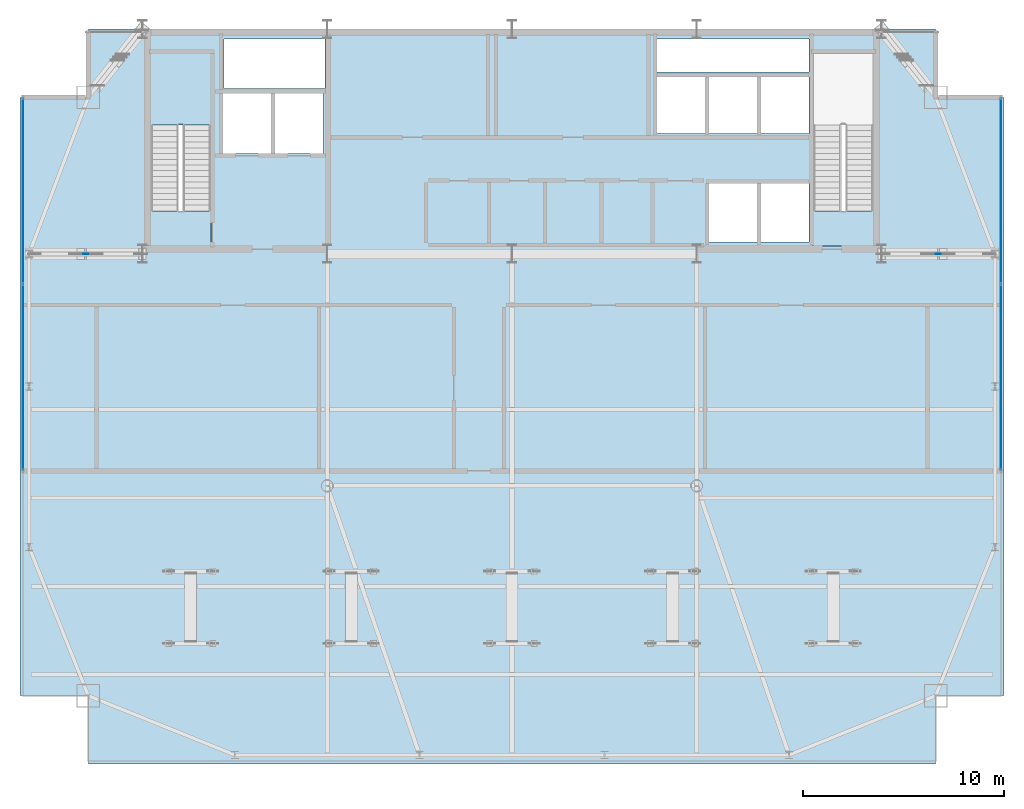
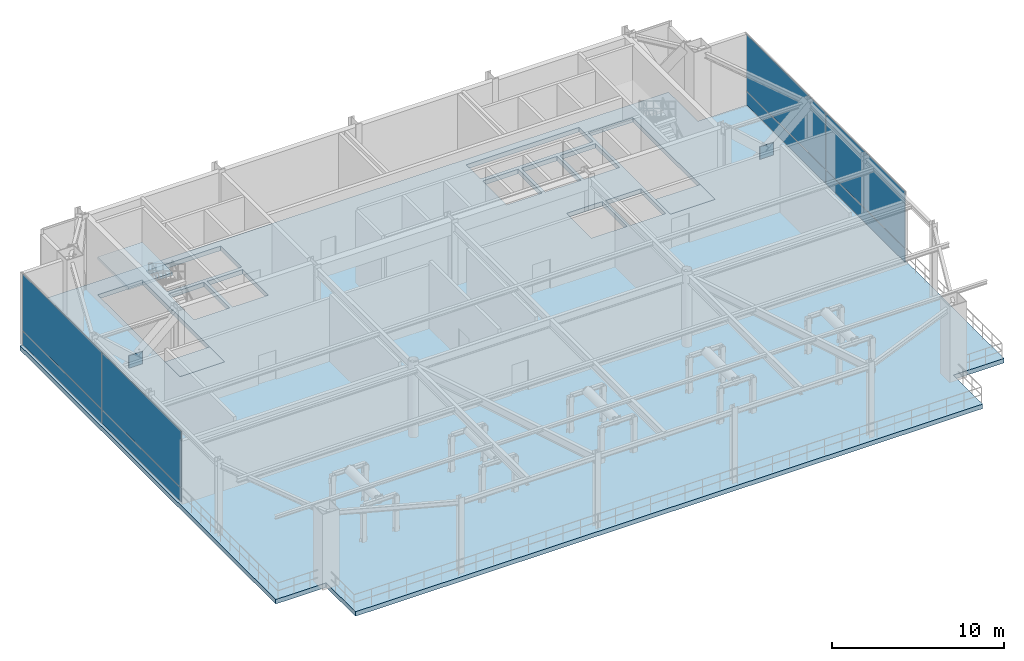
# One storey, part 15 of 21: 10 plates, 4 slabs, 3 elements without a shape of their own.
"""IFC4 building model written with IfcOpenShell, lengths in metres."""

from ifc_helpers import new_model, si_unit, direction, frame, origin, origin_2d, place, context, subcontext, project, spatial, polyline, rectangle, outline, extrude, source, transform, mapped, material, layer, layer_set, type_object, type_shapes, element, aggregate, save


model = new_model("IFC4")

# Units and contexts
model_context = context("Model", 3, precision=1e-05, world=origin(), true_north=direction((0.0, 1.0)))
body_context = subcontext(model_context, "Body", "Model", "MODEL_VIEW")
ifc_project = project(units=[si_unit("LENGTHUNIT", "METRE"), si_unit("AREAUNIT", "SQUARE_METRE"), si_unit("VOLUMEUNIT", "CUBIC_METRE"), si_unit("PLANEANGLEUNIT", "RADIAN"), si_unit("MASSUNIT", "GRAM", prefix="KILO")], contexts=[model_context])

# Site, building, storey
site_placement = place(None, origin())
site = spatial("IfcSite", under=ifc_project, at=site_placement, CompositionType="ELEMENT")
building_placement = place(site_placement, origin())
building = spatial("IfcBuilding", under=site, at=building_placement, Name="Varnel Quay Broadcast Tower", CompositionType="ELEMENT")
storey_placement = place(building_placement, frame((0.0, 0.0, 234.0)))
storey = spatial("IfcBuildingStorey", under=building, at=storey_placement, Name="L58", CompositionType="ELEMENT", Elevation=234.0)

# Slabs
ifc_material_1 = material(Name="Concrete CSA A23.3 C50/60", Category="concrete")
ifc_layer_1 = layer(ifc_material_1, 0.320068359375, Name="Concrete CSA A23.3 C50/60")
ifc_layer_set_1 = layer_set([ifc_layer_1], Name="Concrete CSA A23.3 C50/60")
slab_type_1 = type_object("IfcSlabType", Name="Slab_Floor320", PredefinedType="FLOOR", material=ifc_layer_set_1)
slab_1_placement = place(storey_placement, frame((0.0, 0.0, -0.320068359375)))
element("IfcSlab", 1, at=slab_1_placement, inside=storey, type_object=slab_type_1, Name="L58 Structural Slab", PredefinedType="FLOOR", context=body_context, shape_type="SweptSolid", body=[
    extrude(outline(polyline([(12.89990234375, 10.199951171875), (55.10009765625, 10.199951171875), (55.10009765625, 13.60009765625), (58.5, 13.60009765625), (58.5, 43.39990234375), (55.10009765625, 43.39990234375), (55.10009765625, 46.800048828125), (12.89990234375, 46.800048828125), (12.89990234375, 43.39990234375), (9.5, 43.39990234375), (9.5, 13.60009765625), (12.89990234375, 13.60009765625), (12.89990234375, 10.199951171875)]), holes=[polyline([(19.0, 36.0), (16.0, 36.0), (16.0, 45.60009765625), (19.0, 45.60009765625), (19.0, 36.0)]), polyline([(19.60009765625, 40.60009765625), (19.60009765625, 43.60009765625), (22.0, 43.60009765625), (22.0, 40.60009765625), (19.60009765625, 40.60009765625)]), polyline([(22.199951171875, 40.60009765625), (22.199951171875, 43.60009765625), (24.60009765625, 43.60009765625), (24.60009765625, 40.60009765625), (22.199951171875, 40.60009765625)]), polyline([(41.199951171875, 44.39990234375), (43.60009765625, 44.39990234375), (43.60009765625, 41.60009765625), (41.199951171875, 41.60009765625), (41.199951171875, 44.39990234375)]), polyline([(43.800048828125, 44.39990234375), (46.199951171875, 44.39990234375), (46.199951171875, 41.60009765625), (43.800048828125, 41.60009765625), (43.800048828125, 44.39990234375)]), polyline([(19.64990234375, 43.85009765625), (19.64990234375, 46.300048828125), (24.679931640625, 46.300048828125), (24.679931640625, 43.85009765625), (19.64990234375, 43.85009765625)]), polyline([(43.800048828125, 39.10009765625), (46.199951171875, 39.10009765625), (46.199951171875, 36.199951171875), (43.800048828125, 36.199951171875), (43.800048828125, 39.10009765625)]), polyline([(46.39990234375, 39.10009765625), (48.800048828125, 39.10009765625), (48.800048828125, 36.199951171875), (46.39990234375, 36.199951171875), (46.39990234375, 39.10009765625)]), polyline([(52.0, 36.0), (49.0, 36.0), (49.0, 45.60009765625), (52.0, 45.60009765625), (52.0, 36.0)]), polyline([(46.39990234375, 44.39990234375), (48.800048828125, 44.39990234375), (48.800048828125, 41.60009765625), (46.39990234375, 41.60009765625), (46.39990234375, 44.39990234375)]), polyline([(41.199951171875, 46.300048828125), (48.800048828125, 46.300048828125), (48.800048828125, 44.64990234375), (41.199951171875, 44.64990234375), (41.199951171875, 46.300048828125)])]), origin(), (0.0, 0.0, 1.0), 0.320068359375),
])
ifc_layer_2 = layer(ifc_material_1, 0.25, Name="Concrete CSA A23.3 C50/60")
ifc_layer_set_2 = layer_set([ifc_layer_2], Name="Concrete CSA A23.3 C50/60")
slab_type_2 = type_object("IfcSlabType", Name="Slab_StairFloorLanding250", PredefinedType="FLOOR", material=ifc_layer_set_2)
slab_2_placement = place(storey_placement, frame((0.0, 0.0, -0.320068359375)))
element("IfcSlab", 2, at=slab_2_placement, inside=storey, type_object=slab_type_2, Name="L58 ST-01 Structural Floor Landing Slab", PredefinedType="FLOOR", context=body_context, shape_type="SweptSolid", body=[
    extrude(outline(polyline([(19.0, 36.0), (19.0, 37.75), (16.0, 37.75), (16.0, 36.0), (19.0, 36.0)])), origin(), (0.0, 0.0, 1.0), 0.320068359375),
])
slab_3_placement = place(storey_placement, frame((0.0, 0.0, -0.320068359375)))
element("IfcSlab", 3, at=slab_3_placement, inside=storey, type_object=slab_type_2, Name="L58 ST-02 Structural Floor Landing Slab", PredefinedType="FLOOR", context=body_context, shape_type="SweptSolid", body=[
    extrude(outline(polyline([(52.0, 36.0), (52.0, 37.75), (49.0, 37.75), (49.0, 36.0), (52.0, 36.0)])), origin(), (0.0, 0.0, 1.0), 0.320068359375),
])

# Stair, slab
ifc_material_2 = material(Name="Precast Structural Concrete C40/50", Category="concrete")
stair_type = type_object("IfcStairType", Name="Stair_ST-01", PredefinedType="HALF_TURN_STAIR", material=ifc_material_2)
stair_placement = place(storey_placement, origin())
stair = element("IfcStair", 4, at=stair_placement, inside=storey, type_object=stair_type, Name="L58 West Core Exit Stair 1", PredefinedType="HALF_TURN_STAIR")
ifc_layer_3 = layer(ifc_material_2, 0.199951171875, Name="Precast Structural Concrete C40/50")
ifc_layer_set_3 = layer_set([ifc_layer_3], Name="Precast Structural Concrete C40/50")
slab_type_3 = type_object("IfcSlabType", Name="Slab_StairLanding200", PredefinedType="LANDING", material=ifc_layer_set_3)
slab_4_placement = place(storey_placement, frame((0.0, 0.0, 2.5)))
slab_4 = element("IfcSlab", 5, at=slab_4_placement, type_object=slab_type_3, Name="ST-01 landing 1", PredefinedType="LANDING", context=body_context, shape_type="SweptSolid", body=[
    extrude(outline(polyline([(19.0, 42.02490234375), (19.0, 45.60009765625), (16.0, 45.60009765625), (16.0, 42.02490234375), (19.0, 42.02490234375)])), origin(), (0.0, 0.0, 1.0), 0.199951171875),
])
aggregate(stair, [slab_4])

# Plates
ifc_material_3 = material(Name="Structural Steel CSA G40.21 350WT", Category="steel")
ifc_layer_4 = layer(ifc_material_3, 0.0400390625, Name="Structural Steel CSA G40.21 350WT")
ifc_layer_set_4 = layer_set([ifc_layer_4], Name="Structural Steel CSA G40.21 350WT")
plate_type_1 = type_object("IfcPlateType", Name="Plate_MegaGusset", PredefinedType="USERDEFINED", material=ifc_layer_set_4)
shared_shape_1 = source(origin(), body_context, "Body", "SweptSolid", [
    extrude(rectangle(XDim=0.924072265625, YDim=0.0400390625, at=origin_2d()), origin(), (0.0, 0.0, 1.0), 0.8779296875),
])
type_shapes(plate_type_1, [shared_shape_1])
for number, where, z_axis, x_axis, name in (
    (6, (12.77490234375, 35.60009765625, 2.135986328125), (0.0, 0.0, 1.0), (1.0, 0.0, 0.0), "L58 Outrigger W Central X-Crossing Gusset Plate"),
    (7, (55.22509765625, 35.60009765625, 2.135986328125), (0.0, 0.0, 1.0), (1.0, 0.0, 0.0), "L58 Outrigger E Central X-Crossing Gusset Plate"),
):
    element("IfcPlate", number, at=place(storey_placement, frame(where, z_axis=z_axis, x_axis=x_axis)), inside=storey, type_object=plate_type_1, Name=name, ObjectType="GUSSET_PLATE", PredefinedType="USERDEFINED", context=body_context, shape_type="MappedRepresentation", body=[
        mapped(shared_shape_1, transform((0.0, 0.0, 0.0), x_axis=(1.0, 0.0, 0.0), y_axis=(0.0, 1.0, 0.0), z_axis=(0.0, 0.0, 1.0), scale=1.0)),
    ])

# Curtain wall, plate
ifc_material_4 = material(Name="Anodised Bronze Aluminium 6063-T6", Category="aluminium")
ifc_layer_5 = layer(ifc_material_4, 0.18994140625, Name="Anodised Bronze Aluminium 6063-T6")
ifc_layer_set_5 = layer_set([ifc_layer_5], Name="Anodised Bronze Aluminium 6063-T6")
curtain_wall_type = type_object("IfcCurtainWallType", Name="CW_UpperTower", PredefinedType="NOTDEFINED", material=ifc_layer_set_5)
curtain_wall_1_placement = place(storey_placement, origin())
curtain_wall_1 = element("IfcCurtainWall", 8, at=curtain_wall_1_placement, inside=storey, type_object=curtain_wall_type, Name="L58 West Plant Curtain Wall", PredefinedType="NOTDEFINED")
ifc_material_5 = material(Name="Triple-Glazed Bronze Low-E Architectural Glass", Category="glass")
ifc_layer_6 = layer(ifc_material_5, 0.030029296875, Name="Triple-Glazed Bronze Low-E Architectural Glass")
ifc_layer_set_6 = layer_set([ifc_layer_6], Name="Triple-Glazed Bronze Low-E Architectural Glass")
plate_type_2 = type_object("IfcPlateType", Name="Panel_CWS-03", PredefinedType="CURTAIN_PANEL", material=ifc_layer_set_6)
shared_shape_2 = source(origin(), body_context, "Body", "SweptSolid", [
    extrude(rectangle(XDim=9.202392578125, YDim=0.030029296875, at=origin_2d()), origin(), (0.0, 0.0, 1.0), 0.9599609375),
])
plate_1_placement = place(storey_placement, frame((9.64990234375, 29.46630859375, 0.06005859375), z_axis=(0.0, 0.0, 1.0), x_axis=(0.0, 1.0, 0.0)))
plate_1 = element("IfcPlate", 9, at=plate_1_placement, type_object=plate_type_2, Name="CWS-03 panel 1.1", PredefinedType="CURTAIN_PANEL", context=body_context, shape_type="MappedRepresentation", body=[
    mapped(shared_shape_2, transform((0.0, 0.0, 0.0), x_axis=(1.0, 0.0, 0.0), y_axis=(0.0, 1.0, 0.0), z_axis=(0.0, 0.0, 1.0), scale=1.0)),
])

curtain_wall_2_placement = place(storey_placement, origin())
curtain_wall_2 = element("IfcCurtainWall", 10, at=curtain_wall_2_placement, inside=storey, type_object=curtain_wall_type, Name="L58 East Plant Curtain Wall", PredefinedType="NOTDEFINED")
plate_2_placement = place(storey_placement, frame((58.35009765625, 29.46630859375, 0.06005859375), z_axis=(0.0, 0.0, 1.0), x_axis=(0.0, 1.0, 0.0)))
plate_2 = element("IfcPlate", 11, at=plate_2_placement, type_object=plate_type_2, Name="CWS-03 panel 1.1", PredefinedType="CURTAIN_PANEL", context=body_context, shape_type="MappedRepresentation", body=[
    mapped(shared_shape_2, transform((0.0, 0.0, 0.0), x_axis=(1.0, 0.0, 0.0), y_axis=(0.0, 1.0, 0.0), z_axis=(0.0, 0.0, 1.0), scale=1.0)),
])

# Plate
shared_shape_3 = source(origin(), body_context, "Body", "SweptSolid", [
    extrude(rectangle(XDim=9.202392578125, YDim=0.030029296875, at=origin_2d()), origin(), (0.0, 0.0, 1.0), 4.010009765625),
])
type_shapes(plate_type_2, [shared_shape_2, shared_shape_3])
plate_3_placement = place(storey_placement, frame((9.64990234375, 29.46630859375, 1.080078125), z_axis=(0.0, 0.0, 1.0), x_axis=(0.0, 1.0, 0.0)))
plate_3 = element("IfcPlate", 12, at=plate_3_placement, type_object=plate_type_2, Name="CWS-03 panel 1.2", PredefinedType="CURTAIN_PANEL", context=body_context, shape_type="MappedRepresentation", body=[
    mapped(shared_shape_3, transform((0.0, 0.0, 0.0), x_axis=(1.0, 0.0, 0.0), y_axis=(0.0, 1.0, 0.0), z_axis=(0.0, 0.0, 1.0), scale=1.0)),
])

plate_4_placement = place(storey_placement, frame((58.35009765625, 29.46630859375, 1.080078125), z_axis=(0.0, 0.0, 1.0), x_axis=(0.0, 1.0, 0.0)))
plate_4 = element("IfcPlate", 13, at=plate_4_placement, type_object=plate_type_2, Name="CWS-03 panel 1.2", PredefinedType="CURTAIN_PANEL", context=body_context, shape_type="MappedRepresentation", body=[
    mapped(shared_shape_3, transform((0.0, 0.0, 0.0), x_axis=(1.0, 0.0, 0.0), y_axis=(0.0, 1.0, 0.0), z_axis=(0.0, 0.0, 1.0), scale=1.0)),
])

ifc_material_6 = material(Name="Insulated Bronze Spandrel Glass", Category="glass")
ifc_layer_7 = layer(ifc_material_6, 0.030029296875, Name="Insulated Bronze Spandrel Glass")
ifc_layer_set_7 = layer_set([ifc_layer_7], Name="Insulated Bronze Spandrel Glass")
plate_type_3 = type_object("IfcPlateType", Name="PanelSp_CWS-03", PredefinedType="CURTAIN_PANEL", material=ifc_layer_set_7)
shared_shape_4 = source(origin(), body_context, "Body", "SweptSolid", [
    extrude(rectangle(XDim=9.202392578125, YDim=0.030029296875, at=origin_2d()), origin(), (0.0, 0.0, 1.0), 0.9599609375),
])
plate_5_placement = place(storey_placement, frame((9.64990234375, 38.733642578125, 0.06005859375), z_axis=(0.0, 0.0, 1.0), x_axis=(0.0, 1.0, 0.0)))
plate_5 = element("IfcPlate", 14, at=plate_5_placement, type_object=plate_type_3, Name="CWS-03 panel 2.1", PredefinedType="CURTAIN_PANEL", context=body_context, shape_type="MappedRepresentation", body=[
    mapped(shared_shape_4, transform((0.0, 0.0, 0.0), x_axis=(1.0, 0.0, 0.0), y_axis=(0.0, 1.0, 0.0), z_axis=(0.0, 0.0, 1.0), scale=1.0)),
])

plate_6_placement = place(storey_placement, frame((58.35009765625, 38.733642578125, 0.06005859375), z_axis=(0.0, 0.0, 1.0), x_axis=(0.0, 1.0, 0.0)))
plate_6 = element("IfcPlate", 15, at=plate_6_placement, type_object=plate_type_3, Name="CWS-03 panel 2.1", PredefinedType="CURTAIN_PANEL", context=body_context, shape_type="MappedRepresentation", body=[
    mapped(shared_shape_4, transform((0.0, 0.0, 0.0), x_axis=(1.0, 0.0, 0.0), y_axis=(0.0, 1.0, 0.0), z_axis=(0.0, 0.0, 1.0), scale=1.0)),
])

shared_shape_5 = source(origin(), body_context, "Body", "SweptSolid", [
    extrude(rectangle(XDim=9.202392578125, YDim=0.030029296875, at=origin_2d()), origin(), (0.0, 0.0, 1.0), 4.010009765625),
])
type_shapes(plate_type_3, [shared_shape_4, shared_shape_5])
plate_7_placement = place(storey_placement, frame((9.64990234375, 38.733642578125, 1.080078125), z_axis=(0.0, 0.0, 1.0), x_axis=(0.0, 1.0, 0.0)))
plate_7 = element("IfcPlate", 16, at=plate_7_placement, type_object=plate_type_3, Name="CWS-03 panel 2.2", PredefinedType="CURTAIN_PANEL", context=body_context, shape_type="MappedRepresentation", body=[
    mapped(shared_shape_5, transform((0.0, 0.0, 0.0), x_axis=(1.0, 0.0, 0.0), y_axis=(0.0, 1.0, 0.0), z_axis=(0.0, 0.0, 1.0), scale=1.0)),
])

aggregate(curtain_wall_1, [plate_1, plate_3, plate_5, plate_7])

plate_8_placement = place(storey_placement, frame((58.35009765625, 38.733642578125, 1.080078125), z_axis=(0.0, 0.0, 1.0), x_axis=(0.0, 1.0, 0.0)))
plate_8 = element("IfcPlate", 17, at=plate_8_placement, type_object=plate_type_3, Name="CWS-03 panel 2.2", PredefinedType="CURTAIN_PANEL", context=body_context, shape_type="MappedRepresentation", body=[
    mapped(shared_shape_5, transform((0.0, 0.0, 0.0), x_axis=(1.0, 0.0, 0.0), y_axis=(0.0, 1.0, 0.0), z_axis=(0.0, 0.0, 1.0), scale=1.0)),
])

aggregate(curtain_wall_2, [plate_2, plate_4, plate_6, plate_8])

save(model, "model.ifc")
